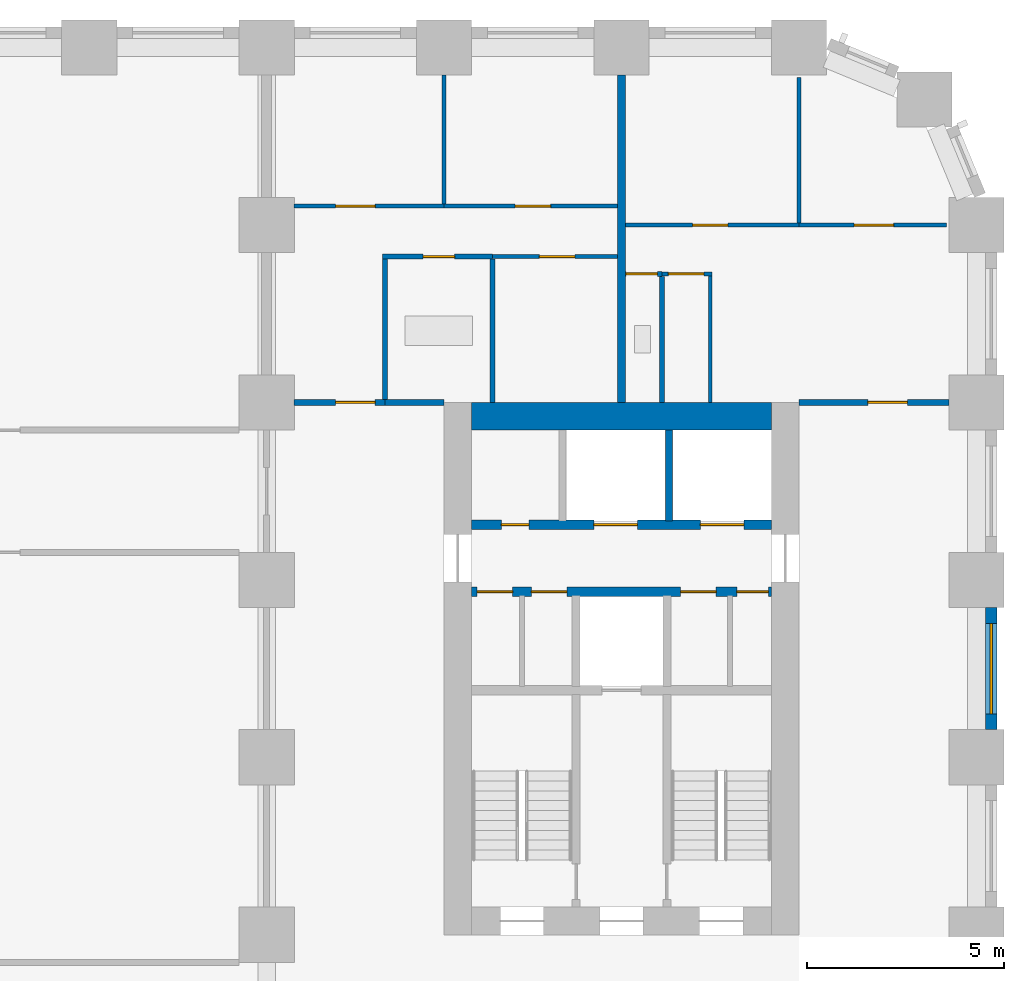
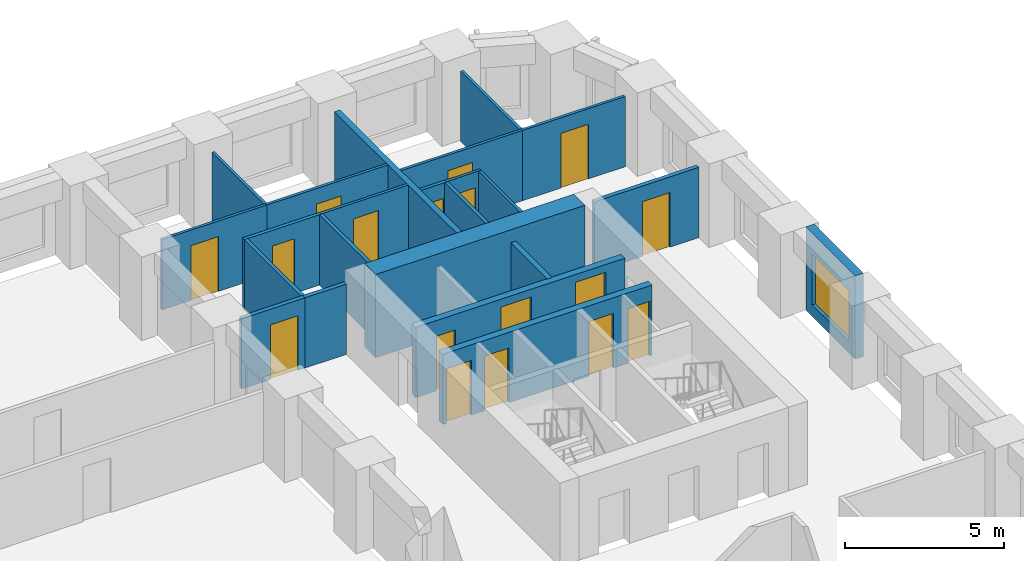
# One storey, part 8 of 12: 23 walls, 17 doors, 1 window, 18 openings.
"""IFC4 building model written with IfcOpenShell, lengths in metres."""

from ifc_helpers import new_model, si_unit, direction, frame, frame_2d, origin, place, context, subcontext, project, spatial, rectangle, extrude, material, layer, layer_set, type_object, element, fill, save


model = new_model("IFC4")

# Units and contexts
model_context = context("Model", 3, precision=1e-05, world=origin(), true_north=direction((0.0, 1.0)))
body_context = subcontext(model_context, "Body", "Model", "MODEL_VIEW")
ifc_project = project(units=[si_unit("LENGTHUNIT", "METRE"), si_unit("AREAUNIT", "SQUARE_METRE"), si_unit("VOLUMEUNIT", "CUBIC_METRE"), si_unit("PLANEANGLEUNIT", "RADIAN"), si_unit("MASSUNIT", "GRAM", prefix="KILO")], contexts=[model_context])

# Site, building, storey
site_placement = place(None, origin())
site = spatial("IfcSite", under=ifc_project, at=site_placement, CompositionType="ELEMENT")
building_placement = place(site_placement, origin())
building = spatial("IfcBuilding", under=site, at=building_placement, Name="Girih Gate Residences", CompositionType="ELEMENT")
storey_placement = place(building_placement, frame((0.0, 0.0, 72.0)))
storey = spatial("IfcBuildingStorey", under=building, at=storey_placement, Name="L19", CompositionType="ELEMENT", Elevation=72.0)

# Wall, opening, door
ifc_material_1 = material(Name="Gypsum board on steel studs", Category="steel")
ifc_layer_1 = layer(ifc_material_1, 0.14990234375)
ifc_layer_set_1 = layer_set([ifc_layer_1], Name="Compartment wall 150 mm")
wall_type_1 = type_object("IfcWallType", Name="Compartment wall 150 mm", PredefinedType="PARTITIONING", material=ifc_layer_set_1)
wall_1_placement = place(storey_placement, frame((45.0, 40.5, 0.0), z_axis=(0.0, 0.0, 1.0), x_axis=(1.0, 0.0, 0.0)))
wall_1 = element("IfcWall", 1, at=wall_1_placement, inside=storey, type_object=wall_type_1, Name="L19 partition", PredefinedType="PARTITIONING", context=body_context, shape_type="SweptSolid", body=[
    extrude(rectangle(XDim=3.800048828125, YDim=0.14990234375, at=frame_2d((1.89990234375, 0.0))), origin(), (0.0, 0.0, 1.0), 2.699951171875),
])
opening_1_placement = place(wall_1_placement, frame((1.75, 0.0, 0.0)))
opening_1 = element("IfcOpeningElement", 2, at=opening_1_placement, cuts=wall_1, Name="Opening A19-028", PredefinedType="OPENING", context=body_context, shape_type="SweptSolid", body=[
    extrude(rectangle(XDim=1.0, YDim=2.10009765625, at=frame_2d((0.5, 1.050048828125))), frame((0.0, 0.0849609375, 0.0), z_axis=(0.0, -1.0, 0.0), x_axis=(1.0, 0.0, 0.0)), (0.0, 0.0, 1.0), 0.169921875),
])
ifc_material_2 = material(Name="Timber, fire-rated core", Category="wood")
door_type_1 = type_object("IfcDoorType", Name="Flat entrance door 1000x2100 FD30S", OperationType="NOTDEFINED", PredefinedType="DOOR", material=ifc_material_2)
door_1_placement = place(opening_1_placement, origin())
door_1 = element("IfcDoor", 3, at=door_1_placement, inside=storey, type_object=door_type_1, Name="Door A19-028", OperationType="SINGLE_SWING_RIGHT", OverallHeight=2.10009765625, OverallWidth=1.0, PredefinedType="DOOR", context=body_context, shape_type="SweptSolid", body=[
    extrude(rectangle(XDim=1.0, YDim=2.10009765625, at=frame_2d((0.5, 1.050048828125))), frame((0.0, 0.02490234375, 0.0), z_axis=(0.0, -1.0, 0.0), x_axis=(1.0, 0.0, 0.0)), (0.0, 0.0, 1.0), 0.050048828125),
])
fill(opening_1, door_1)

# Wall
wall_2_placement = place(storey_placement, frame((34.5, 40.5, 0.0), z_axis=(0.0, 0.0, 1.0), x_axis=(1.0, 0.0, 0.0)))
element("IfcWall", 4, at=wall_2_placement, inside=storey, type_object=wall_type_1, Name="L19 partition", PredefinedType="PARTITIONING", context=body_context, shape_type="SweptSolid", body=[
    extrude(rectangle(XDim=1.5, YDim=0.14990234375, at=frame_2d((0.75, 0.0))), origin(), (0.0, 0.0, 1.0), 2.699951171875),
])

# Wall, opening, door
wall_3_placement = place(storey_placement, frame((32.199951171875, 40.5, 0.0), z_axis=(0.0, 0.0, 1.0), x_axis=(1.0, 0.0, 0.0)))
wall_3 = element("IfcWall", 5, at=wall_3_placement, inside=storey, type_object=wall_type_1, Name="L19 partition", PredefinedType="PARTITIONING", context=body_context, shape_type="SweptSolid", body=[
    extrude(rectangle(XDim=2.300048828125, YDim=0.14990234375, at=frame_2d((1.14990234375, 0.0))), origin(), (0.0, 0.0, 1.0), 2.699951171875),
])
opening_2_placement = place(wall_3_placement, frame((1.050048828125, 0.0, 0.0)))
opening_2 = element("IfcOpeningElement", 6, at=opening_2_placement, cuts=wall_3, Name="Opening A19-033", PredefinedType="OPENING", context=body_context, shape_type="SweptSolid", body=[
    extrude(rectangle(XDim=1.0, YDim=2.10009765625, at=frame_2d((0.5, 1.050048828125))), frame((0.0, 0.0849609375, 0.0), z_axis=(0.0, -1.0, 0.0), x_axis=(1.0, 0.0, 0.0)), (0.0, 0.0, 1.0), 0.169921875),
])
door_2_placement = place(opening_2_placement, origin())
door_2 = element("IfcDoor", 7, at=door_2_placement, inside=storey, type_object=door_type_1, Name="Door A19-033", OperationType="SINGLE_SWING_RIGHT", OverallHeight=2.10009765625, OverallWidth=1.0, PredefinedType="DOOR", context=body_context, shape_type="SweptSolid", body=[
    extrude(rectangle(XDim=1.0, YDim=2.10009765625, at=frame_2d((0.5, 1.050048828125))), frame((0.0, 0.02490234375, 0.0), z_axis=(0.0, -1.0, 0.0), x_axis=(1.0, 0.0, 0.0)), (0.0, 0.0, 1.0), 0.050048828125),
])
fill(opening_2, door_2)

# Wall
ifc_material_3 = material(Name="Concrete C60/75", Category="concrete")
ifc_layer_2 = layer(ifc_material_3, 0.699951171875)
ifc_layer_set_2 = layer_set([ifc_layer_2], Name="Core wall RC 700 Concrete C60/75")
wall_type_2 = type_object("IfcWallType", Name="Core wall RC 700 Concrete C60/75", PredefinedType="SOLIDWALL", material=ifc_layer_set_2)
wall_4_placement = place(storey_placement, frame((36.699951171875, 40.14990234375, 0.0), z_axis=(0.0, 0.0, 1.0), x_axis=(1.0, 0.0, 0.0)))
element("IfcWall", 8, at=wall_4_placement, inside=storey, type_object=wall_type_2, Name="Core wall E-N L19", PredefinedType="SOLIDWALL", context=body_context, shape_type="SweptSolid", body=[
    extrude(rectangle(XDim=7.60009765625, YDim=0.699951171875, at=frame_2d((3.800048828125, 0.0))), origin(), (0.0, 0.0, 1.0), 3.199951171875),
])

# Wall, openings, doors
ifc_material_4 = material(Name="Concrete C40/50", Category="concrete")
ifc_layer_3 = layer(ifc_material_4, 0.25)
ifc_layer_set_3 = layer_set([ifc_layer_3], Name="Lift shaft wall 250")
wall_type_3 = type_object("IfcWallType", Name="Lift shaft wall 250", PredefinedType="SOLIDWALL", material=ifc_layer_set_3)
wall_5_placement = place(storey_placement, frame((36.699951171875, 35.699951171875, 0.0), z_axis=(0.0, 0.0, 1.0), x_axis=(1.0, 0.0, 0.0)))
wall_5 = element("IfcWall", 9, at=wall_5_placement, inside=storey, type_object=wall_type_3, Name="L19 E core wall H2", PredefinedType="SOLIDWALL", context=body_context, shape_type="SweptSolid", body=[
    extrude(rectangle(XDim=7.60009765625, YDim=0.25, at=frame_2d((3.800048828125, 0.0))), origin(), (0.0, 0.0, 1.0), 2.699951171875),
])
opening_3_placement = place(wall_5_placement, frame((6.72509765625, 0.0, 0.0)))
opening_3 = element("IfcOpeningElement", 10, at=opening_3_placement, cuts=wall_5, Name="Opening D-L19-E-007", PredefinedType="OPENING", context=body_context, shape_type="SweptSolid", body=[
    extrude(rectangle(XDim=0.800048828125, YDim=2.10009765625, at=frame_2d((0.39990234375, 1.050048828125))), frame((0.0, 0.135009765625, 0.0), z_axis=(0.0, -1.0, 0.0), x_axis=(1.0, 0.0, 0.0)), (0.0, 0.0, 1.0), 0.27001953125),
])
opening_4_placement = place(wall_5_placement, frame((5.300048828125, 0.0, 0.0)))
opening_4 = element("IfcOpeningElement", 11, at=opening_4_placement, cuts=wall_5, Name="Opening D-L19-E-008", PredefinedType="OPENING", context=body_context, shape_type="SweptSolid", body=[
    extrude(rectangle(XDim=0.89990234375, YDim=2.10009765625, at=frame_2d((0.449951171875, 1.050048828125))), frame((0.0, 0.135009765625, 0.0), z_axis=(0.0, -1.0, 0.0), x_axis=(1.0, 0.0, 0.0)), (0.0, 0.0, 1.0), 0.27001953125),
])
opening_5_placement = place(wall_5_placement, frame((1.512451171875, 0.0, 0.0)))
opening_5 = element("IfcOpeningElement", 12, at=opening_5_placement, cuts=wall_5, Name="Opening D-L19-E-009", PredefinedType="OPENING", context=body_context, shape_type="SweptSolid", body=[
    extrude(rectangle(XDim=0.89990234375, YDim=2.10009765625, at=frame_2d((0.449951171875, 1.050048828125))), frame((0.0, 0.135009765625, 0.0), z_axis=(0.0, -1.0, 0.0), x_axis=(1.0, 0.0, 0.0)), (0.0, 0.0, 1.0), 0.27001953125),
])
opening_6_placement = place(wall_5_placement, frame((0.137451171875, 0.0, 0.0)))
opening_6 = element("IfcOpeningElement", 13, at=opening_6_placement, cuts=wall_5, Name="Opening D-L19-E-010", PredefinedType="OPENING", context=body_context, shape_type="SweptSolid", body=[
    extrude(rectangle(XDim=0.89990234375, YDim=2.10009765625, at=frame_2d((0.449951171875, 1.050048828125))), frame((0.0, 0.135009765625, 0.0), z_axis=(0.0, -1.0, 0.0), x_axis=(1.0, 0.0, 0.0)), (0.0, 0.0, 1.0), 0.27001953125),
])
ifc_material_5 = material(Name="Painted steel, fire-resisting", Category="steel")
door_type_2 = type_object("IfcDoorType", Name="Fire door 800x2100", OperationType="SINGLE_SWING_LEFT", PredefinedType="DOOR", material=ifc_material_5)
door_3_placement = place(opening_3_placement, origin())
door_3 = element("IfcDoor", 14, at=door_3_placement, inside=storey, type_object=door_type_2, Name="L19 E linen store door", OperationType="SINGLE_SWING_LEFT", OverallHeight=2.10009765625, OverallWidth=0.800048828125, PredefinedType="DOOR", context=body_context, shape_type="SweptSolid", body=[
    extrude(rectangle(XDim=0.800048828125, YDim=2.10009765625, at=frame_2d((0.39990234375, 1.050048828125))), frame((0.0, 0.02490234375, 0.0), z_axis=(0.0, -1.0, 0.0), x_axis=(1.0, 0.0, 0.0)), (0.0, 0.0, 1.0), 0.050048828125),
])
fill(opening_3, door_3)
door_type_3 = type_object("IfcDoorType", Name="Fire door 900x2100", OperationType="SINGLE_SWING_LEFT", PredefinedType="DOOR", material=ifc_material_5)
door_4_placement = place(opening_4_placement, origin())
door_4 = element("IfcDoor", 15, at=door_4_placement, inside=storey, type_object=door_type_3, Name="L19 E store door", OperationType="SINGLE_SWING_LEFT", OverallHeight=2.10009765625, OverallWidth=0.89990234375, PredefinedType="DOOR", context=body_context, shape_type="SweptSolid", body=[
    extrude(rectangle(XDim=0.89990234375, YDim=2.10009765625, at=frame_2d((0.449951171875, 1.050048828125))), frame((0.0, 0.02490234375, 0.0), z_axis=(0.0, -1.0, 0.0), x_axis=(1.0, 0.0, 0.0)), (0.0, 0.0, 1.0), 0.050048828125),
])
fill(opening_4, door_4)
door_5_placement = place(opening_5_placement, origin())
door_5 = element("IfcDoor", 16, at=door_5_placement, inside=storey, type_object=door_type_3, Name="L19 E housekeeping store door", OperationType="SINGLE_SWING_LEFT", OverallHeight=2.10009765625, OverallWidth=0.89990234375, PredefinedType="DOOR", context=body_context, shape_type="SweptSolid", body=[
    extrude(rectangle(XDim=0.89990234375, YDim=2.10009765625, at=frame_2d((0.449951171875, 1.050048828125))), frame((0.0, 0.02490234375, 0.0), z_axis=(0.0, -1.0, 0.0), x_axis=(1.0, 0.0, 0.0)), (0.0, 0.0, 1.0), 0.050048828125),
])
fill(opening_5, door_5)
door_6_placement = place(opening_6_placement, origin())
door_6 = element("IfcDoor", 17, at=door_6_placement, inside=storey, type_object=door_type_3, Name="L19 E refuse store door", OperationType="SINGLE_SWING_LEFT", OverallHeight=2.10009765625, OverallWidth=0.89990234375, PredefinedType="DOOR", context=body_context, shape_type="SweptSolid", body=[
    extrude(rectangle(XDim=0.89990234375, YDim=2.10009765625, at=frame_2d((0.449951171875, 1.050048828125))), frame((0.0, 0.02490234375, 0.0), z_axis=(0.0, -1.0, 0.0), x_axis=(1.0, 0.0, 0.0)), (0.0, 0.0, 1.0), 0.050048828125),
])
fill(opening_6, door_6)

wall_6_placement = place(storey_placement, frame((36.699951171875, 37.39990234375, 0.0), z_axis=(0.0, 0.0, 1.0), x_axis=(1.0, 0.0, 0.0)))
wall_6 = element("IfcWall", 18, at=wall_6_placement, inside=storey, type_object=wall_type_3, Name="L19 E core wall H3", PredefinedType="SOLIDWALL", context=body_context, shape_type="SweptSolid", body=[
    extrude(rectangle(XDim=7.60009765625, YDim=0.25, at=frame_2d((3.800048828125, 0.0))), origin(), (0.0, 0.0, 1.0), 2.699951171875),
])
opening_7_placement = place(wall_6_placement, frame((5.800048828125, 0.0, 0.0)))
opening_7 = element("IfcOpeningElement", 19, at=opening_7_placement, cuts=wall_6, Name="Opening D-L19-E-003", PredefinedType="OPENING", context=body_context, shape_type="SweptSolid", body=[
    extrude(rectangle(XDim=1.10009765625, YDim=2.39990234375, at=frame_2d((0.550048828125, 1.199951171875))), frame((0.0, 0.135009765625, 0.0), z_axis=(0.0, -1.0, 0.0), x_axis=(1.0, 0.0, 0.0)), (0.0, 0.0, 1.0), 0.27001953125),
])
opening_8_placement = place(wall_6_placement, frame((3.10009765625, 0.0, 0.0)))
opening_8 = element("IfcOpeningElement", 20, at=opening_8_placement, cuts=wall_6, Name="Opening D-L19-E-004", PredefinedType="OPENING", context=body_context, shape_type="SweptSolid", body=[
    extrude(rectangle(XDim=1.10009765625, YDim=2.39990234375, at=frame_2d((0.550048828125, 1.199951171875))), frame((0.0, 0.135009765625, 0.0), z_axis=(0.0, -1.0, 0.0), x_axis=(1.0, 0.0, 0.0)), (0.0, 0.0, 1.0), 0.27001953125),
])
opening_9_placement = place(wall_6_placement, frame((0.75, 0.0, 0.0)))
opening_9 = element("IfcOpeningElement", 21, at=opening_9_placement, cuts=wall_6, Name="Opening D-L19-E-006", PredefinedType="OPENING", context=body_context, shape_type="SweptSolid", body=[
    extrude(rectangle(XDim=0.699951171875, YDim=2.10009765625, at=frame_2d((0.35009765625, 1.050048828125))), frame((0.0, 0.135009765625, 0.0), z_axis=(0.0, -1.0, 0.0), x_axis=(1.0, 0.0, 0.0)), (0.0, 0.0, 1.0), 0.27001953125),
])
ifc_material_6 = material(Name="Stainless steel", Category="steel")
door_type_4 = type_object("IfcDoorType", Name="Lift landing door 1100x2400", OperationType="SLIDING_TO_LEFT", PredefinedType="DOOR", material=ifc_material_6)
door_7_placement = place(opening_7_placement, origin())
door_7 = element("IfcDoor", 22, at=door_7_placement, inside=storey, type_object=door_type_4, Name="L19 lift LR-E1 landing door", OperationType="SLIDING_TO_LEFT", OverallHeight=2.39990234375, OverallWidth=1.10009765625, PredefinedType="DOOR", context=body_context, shape_type="SweptSolid", body=[
    extrude(rectangle(XDim=1.10009765625, YDim=2.39990234375, at=frame_2d((0.550048828125, 1.199951171875))), frame((0.0, 0.02490234375, 0.0), z_axis=(0.0, -1.0, 0.0), x_axis=(1.0, 0.0, 0.0)), (0.0, 0.0, 1.0), 0.050048828125),
])
fill(opening_7, door_7)
door_8_placement = place(opening_8_placement, origin())
door_8 = element("IfcDoor", 23, at=door_8_placement, inside=storey, type_object=door_type_4, Name="L19 lift LR-E2 landing door", OperationType="SLIDING_TO_LEFT", OverallHeight=2.39990234375, OverallWidth=1.10009765625, PredefinedType="DOOR", context=body_context, shape_type="SweptSolid", body=[
    extrude(rectangle(XDim=1.10009765625, YDim=2.39990234375, at=frame_2d((0.550048828125, 1.199951171875))), frame((0.0, 0.02490234375, 0.0), z_axis=(0.0, -1.0, 0.0), x_axis=(1.0, 0.0, 0.0)), (0.0, 0.0, 1.0), 0.050048828125),
])
fill(opening_8, door_8)
door_type_5 = type_object("IfcDoorType", Name="Riser access door 700x2100", OperationType="SINGLE_SWING_LEFT", PredefinedType="DOOR", material=ifc_material_5)
door_9_placement = place(opening_9_placement, origin())
door_9 = element("IfcDoor", 24, at=door_9_placement, inside=storey, type_object=door_type_5, Name="L19 E riser room door", OperationType="SINGLE_SWING_LEFT", OverallHeight=2.10009765625, OverallWidth=0.699951171875, PredefinedType="DOOR", context=body_context, shape_type="SweptSolid", body=[
    extrude(rectangle(XDim=0.699951171875, YDim=2.10009765625, at=frame_2d((0.35009765625, 1.050048828125))), frame((0.0, 0.02490234375, 0.0), z_axis=(0.0, -1.0, 0.0), x_axis=(1.0, 0.0, 0.0)), (0.0, 0.0, 1.0), 0.050048828125),
])
fill(opening_9, door_9)

# Wall, opening, door
ifc_layer_4 = layer(ifc_material_1, 0.10009765625)
ifc_layer_set_4 = layer_set([ifc_layer_4], Name="Partition 100 mm")
wall_type_4 = type_object("IfcWallType", Name="Partition 100 mm", PredefinedType="PARTITIONING", material=ifc_layer_set_4)
wall_7_placement = place(storey_placement, frame((40.60009765625, 45.0, 0.0), z_axis=(0.0, 0.0, 1.0), x_axis=(1.0, 0.0, 0.0)))
wall_7 = element("IfcWall", 25, at=wall_7_placement, inside=storey, type_object=wall_type_4, Name="L19 partition", PredefinedType="PARTITIONING", context=body_context, shape_type="SweptSolid", body=[
    extrude(rectangle(XDim=4.39990234375, YDim=0.10009765625, at=frame_2d((2.199951171875, 0.0))), origin(), (0.0, 0.0, 1.0), 2.699951171875),
])
opening_10_placement = place(wall_7_placement, frame((1.699951171875, 0.0, 0.0)))
opening_10 = element("IfcOpeningElement", 26, at=opening_10_placement, cuts=wall_7, Name="Opening A19-025", PredefinedType="OPENING", context=body_context, shape_type="SweptSolid", body=[
    extrude(rectangle(XDim=0.89990234375, YDim=2.10009765625, at=frame_2d((0.449951171875, 1.050048828125))), frame((0.0, 0.06005859375, 0.0), z_axis=(0.0, -1.0, 0.0), x_axis=(1.0, 0.0, 0.0)), (0.0, 0.0, 1.0), 0.1201171875),
])
ifc_material_7 = material(Name="Timber", Category="wood")
door_type_6 = type_object("IfcDoorType", Name="Bedroom door 900x2100", OperationType="NOTDEFINED", PredefinedType="DOOR", material=ifc_material_7)
door_10_placement = place(opening_10_placement, origin())
door_10 = element("IfcDoor", 27, at=door_10_placement, inside=storey, type_object=door_type_6, Name="Door A19-025", OperationType="SINGLE_SWING_LEFT", OverallHeight=2.10009765625, OverallWidth=0.89990234375, PredefinedType="DOOR", context=body_context, shape_type="SweptSolid", body=[
    extrude(rectangle(XDim=0.89990234375, YDim=2.10009765625, at=frame_2d((0.449951171875, 1.050048828125))), frame((0.0, 0.02490234375, 0.0), z_axis=(0.0, -1.0, 0.0), x_axis=(1.0, 0.0, 0.0)), (0.0, 0.0, 1.0), 0.050048828125),
])
fill(opening_10, door_10)

# Walls
wall_8_placement = place(storey_placement, frame((45.0, 45.050048828125, 0.0), z_axis=(0.0, 0.0, 1.0), x_axis=(0.0, 1.0, 0.0)))
element("IfcWall", 28, at=wall_8_placement, inside=storey, type_object=wall_type_4, Name="L19 partition", PredefinedType="PARTITIONING", context=body_context, shape_type="SweptSolid", body=[
    extrude(rectangle(XDim=3.6923828125, YDim=0.10009765625, at=frame_2d((1.84619140625, 0.0))), origin(), (0.0, 0.0, 1.0), 2.699951171875),
])
wall_9_placement = place(storey_placement, frame((42.75, 40.5, 0.0), z_axis=(0.0, 0.0, 1.0), x_axis=(0.0, 1.0, 0.0)))
element("IfcWall", 29, at=wall_9_placement, inside=storey, type_object=wall_type_4, Name="L19 partition", PredefinedType="PARTITIONING", context=body_context, shape_type="SweptSolid", body=[
    extrude(rectangle(XDim=3.2099609375, YDim=0.10009765625, at=frame_2d((1.60498046875, 0.0))), origin(), (0.0, 0.0, 1.0), 2.699951171875),
])

# Wall, opening, door
wall_10_placement = place(storey_placement, frame((42.800048828125, 43.760009765625, 0.0), z_axis=(0.0, 0.0, 1.0), x_axis=(-1.0, 0.0, 0.0)))
wall_10 = element("IfcWall", 30, at=wall_10_placement, inside=storey, type_object=wall_type_4, Name="L19 partition", PredefinedType="PARTITIONING", context=body_context, shape_type="SweptSolid", body=[
    extrude(rectangle(XDim=1.27734375, YDim=0.10009765625, at=frame_2d((0.638671875, 0.0))), origin(), (0.0, 0.0, 1.0), 2.699951171875),
])
opening_11_placement = place(wall_10_placement, frame((0.213623046875, 0.0, 0.0)))
opening_11 = element("IfcOpeningElement", 31, at=opening_11_placement, cuts=wall_10, Name="Opening A19-026", PredefinedType="OPENING", context=body_context, shape_type="SweptSolid", body=[
    extrude(rectangle(XDim=0.89990234375, YDim=2.10009765625, at=frame_2d((0.449951171875, 1.050048828125))), frame((0.0, 0.06005859375, 0.0), z_axis=(0.0, -1.0, 0.0), x_axis=(1.0, 0.0, 0.0)), (0.0, 0.0, 1.0), 0.1201171875),
])
door_type_7 = type_object("IfcDoorType", Name="Kitchen door 900x2100", OperationType="NOTDEFINED", PredefinedType="DOOR", material=ifc_material_7)
door_11_placement = place(opening_11_placement, origin())
door_11 = element("IfcDoor", 32, at=door_11_placement, inside=storey, type_object=door_type_7, Name="Door A19-026", OperationType="SINGLE_SWING_RIGHT", OverallHeight=2.10009765625, OverallWidth=0.89990234375, PredefinedType="DOOR", context=body_context, shape_type="SweptSolid", body=[
    extrude(rectangle(XDim=0.89990234375, YDim=2.10009765625, at=frame_2d((0.449951171875, 1.050048828125))), frame((0.0, 0.02490234375, 0.0), z_axis=(0.0, -1.0, 0.0), x_axis=(1.0, 0.0, 0.0)), (0.0, 0.0, 1.0), 0.050048828125),
])
fill(opening_11, door_11)

wall_11_placement = place(storey_placement, frame((45.0, 45.0, 0.0), z_axis=(0.0, 0.0, 1.0), x_axis=(1.0, 0.0, 0.0)))
wall_11 = element("IfcWall", 33, at=wall_11_placement, inside=storey, type_object=wall_type_4, Name="L19 partition", PredefinedType="PARTITIONING", context=body_context, shape_type="SweptSolid", body=[
    extrude(rectangle(XDim=3.742431640625, YDim=0.10009765625, at=frame_2d((1.87109375, 0.0))), origin(), (0.0, 0.0, 1.0), 2.699951171875),
])
opening_12_placement = place(wall_11_placement, frame((1.39990234375, 0.0, 0.0)))
opening_12 = element("IfcOpeningElement", 34, at=opening_12_placement, cuts=wall_11, Name="Opening A19-027", PredefinedType="OPENING", context=body_context, shape_type="SweptSolid", body=[
    extrude(rectangle(XDim=1.0, YDim=2.10009765625, at=frame_2d((0.5, 1.050048828125))), frame((0.0, 0.06005859375, 0.0), z_axis=(0.0, -1.0, 0.0), x_axis=(1.0, 0.0, 0.0)), (0.0, 0.0, 1.0), 0.1201171875),
])
door_type_8 = type_object("IfcDoorType", Name="Living room door 1000x2100", OperationType="NOTDEFINED", PredefinedType="DOOR", material=ifc_material_7)
door_12_placement = place(opening_12_placement, origin())
door_12 = element("IfcDoor", 35, at=door_12_placement, inside=storey, type_object=door_type_8, Name="Door A19-027", OperationType="SINGLE_SWING_RIGHT", OverallHeight=2.10009765625, OverallWidth=1.0, PredefinedType="DOOR", context=body_context, shape_type="SweptSolid", body=[
    extrude(rectangle(XDim=1.0, YDim=2.10009765625, at=frame_2d((0.5, 1.050048828125))), frame((0.0, 0.02490234375, 0.0), z_axis=(0.0, -1.0, 0.0), x_axis=(1.0, 0.0, 0.0)), (0.0, 0.0, 1.0), 0.050048828125),
])
fill(opening_12, door_12)

wall_12_placement = place(storey_placement, frame((36.0, 45.47998046875, 0.0), z_axis=(0.0, 0.0, 1.0), x_axis=(1.0, 0.0, 0.0)))
wall_12 = element("IfcWall", 36, at=wall_12_placement, inside=storey, type_object=wall_type_4, Name="L19 partition", PredefinedType="PARTITIONING", context=body_context, shape_type="SweptSolid", body=[
    extrude(rectangle(XDim=4.39990234375, YDim=0.10009765625, at=frame_2d((2.199951171875, 0.0))), origin(), (0.0, 0.0, 1.0), 2.699951171875),
])
opening_13_placement = place(wall_12_placement, frame((1.800048828125, 0.0, 0.0)))
opening_13 = element("IfcOpeningElement", 37, at=opening_13_placement, cuts=wall_12, Name="Opening A19-030", PredefinedType="OPENING", context=body_context, shape_type="SweptSolid", body=[
    extrude(rectangle(XDim=0.89990234375, YDim=2.10009765625, at=frame_2d((0.449951171875, 1.050048828125))), frame((0.0, 0.06005859375, 0.0), z_axis=(0.0, -1.0, 0.0), x_axis=(1.0, 0.0, 0.0)), (0.0, 0.0, 1.0), 0.1201171875),
])
door_13_placement = place(opening_13_placement, origin())
door_13 = element("IfcDoor", 38, at=door_13_placement, inside=storey, type_object=door_type_6, Name="Door A19-030", OperationType="SINGLE_SWING_RIGHT", OverallHeight=2.10009765625, OverallWidth=0.89990234375, PredefinedType="DOOR", context=body_context, shape_type="SweptSolid", body=[
    extrude(rectangle(XDim=0.89990234375, YDim=2.10009765625, at=frame_2d((0.449951171875, 1.050048828125))), frame((0.0, 0.02490234375, 0.0), z_axis=(0.0, -1.0, 0.0), x_axis=(1.0, 0.0, 0.0)), (0.0, 0.0, 1.0), 0.050048828125),
])
fill(opening_13, door_13)

# Wall
wall_13_placement = place(storey_placement, frame((36.0, 45.530029296875, 0.0), z_axis=(0.0, 0.0, 1.0), x_axis=(0.0, 1.0, 0.0)))
element("IfcWall", 39, at=wall_13_placement, inside=storey, type_object=wall_type_4, Name="L19 partition", PredefinedType="PARTITIONING", context=body_context, shape_type="SweptSolid", body=[
    extrude(rectangle(XDim=3.27001953125, YDim=0.10009765625, at=frame_2d((1.635009765625, 0.0))), origin(), (0.0, 0.0, 1.0), 2.699951171875),
])

# Wall, opening, door
wall_14_placement = place(storey_placement, frame((40.39990234375, 44.199951171875, 0.0), z_axis=(0.0, 0.0, 1.0), x_axis=(-1.0, 0.0, 0.0)))
wall_14 = element("IfcWall", 40, at=wall_14_placement, inside=storey, type_object=wall_type_4, Name="L19 partition", PredefinedType="PARTITIONING", context=body_context, shape_type="SweptSolid", body=[
    extrude(rectangle(XDim=3.16845703125, YDim=0.10009765625, at=frame_2d((1.584228515625, 0.0))), origin(), (0.0, 0.0, 1.0), 2.699951171875),
])
opening_14_placement = place(wall_14_placement, frame((1.084228515625, 0.0, 0.0)))
opening_14 = element("IfcOpeningElement", 41, at=opening_14_placement, cuts=wall_14, Name="Opening A19-031", PredefinedType="OPENING", context=body_context, shape_type="SweptSolid", body=[
    extrude(rectangle(XDim=0.89990234375, YDim=2.10009765625, at=frame_2d((0.449951171875, 1.050048828125))), frame((0.0, 0.06005859375, 0.0), z_axis=(0.0, -1.0, 0.0), x_axis=(1.0, 0.0, 0.0)), (0.0, 0.0, 1.0), 0.1201171875),
])
door_14_placement = place(opening_14_placement, origin())
door_14 = element("IfcDoor", 42, at=door_14_placement, inside=storey, type_object=door_type_7, Name="Door A19-031", OperationType="SINGLE_SWING_LEFT", OverallHeight=2.10009765625, OverallWidth=0.89990234375, PredefinedType="DOOR", context=body_context, shape_type="SweptSolid", body=[
    extrude(rectangle(XDim=0.89990234375, YDim=2.10009765625, at=frame_2d((0.449951171875, 1.050048828125))), frame((0.0, 0.02490234375, 0.0), z_axis=(0.0, -1.0, 0.0), x_axis=(1.0, 0.0, 0.0)), (0.0, 0.0, 1.0), 0.050048828125),
])
fill(opening_14, door_14)

wall_15_placement = place(storey_placement, frame((32.199951171875, 45.47998046875, 0.0), z_axis=(0.0, 0.0, 1.0), x_axis=(1.0, 0.0, 0.0)))
wall_15 = element("IfcWall", 43, at=wall_15_placement, inside=storey, type_object=wall_type_4, Name="L19 partition", PredefinedType="PARTITIONING", context=body_context, shape_type="SweptSolid", body=[
    extrude(rectangle(XDim=3.800048828125, YDim=0.10009765625, at=frame_2d((1.89990234375, 0.0))), origin(), (0.0, 0.0, 1.0), 2.699951171875),
])
opening_15_placement = place(wall_15_placement, frame((1.050048828125, 0.0, 0.0)))
opening_15 = element("IfcOpeningElement", 44, at=opening_15_placement, cuts=wall_15, Name="Opening A19-032", PredefinedType="OPENING", context=body_context, shape_type="SweptSolid", body=[
    extrude(rectangle(XDim=1.0, YDim=2.10009765625, at=frame_2d((0.5, 1.050048828125))), frame((0.0, 0.06005859375, 0.0), z_axis=(0.0, -1.0, 0.0), x_axis=(1.0, 0.0, 0.0)), (0.0, 0.0, 1.0), 0.1201171875),
])
door_15_placement = place(opening_15_placement, origin())
door_15 = element("IfcDoor", 45, at=door_15_placement, inside=storey, type_object=door_type_8, Name="Door A19-032", OperationType="SINGLE_SWING_LEFT", OverallHeight=2.10009765625, OverallWidth=1.0, PredefinedType="DOOR", context=body_context, shape_type="SweptSolid", body=[
    extrude(rectangle(XDim=1.0, YDim=2.10009765625, at=frame_2d((0.5, 1.050048828125))), frame((0.0, 0.02490234375, 0.0), z_axis=(0.0, -1.0, 0.0), x_axis=(1.0, 0.0, 0.0)), (0.0, 0.0, 1.0), 0.050048828125),
])
fill(opening_15, door_15)

# Wall
ifc_layer_5 = layer(ifc_material_1, 0.199951171875)
ifc_layer_set_5 = layer_set([ifc_layer_5], Name="Party wall 200 mm")
wall_type_5 = type_object("IfcWallType", Name="Party wall 200 mm", PredefinedType="PARTITIONING", material=ifc_layer_set_5)
wall_16_placement = place(storey_placement, frame((40.5, 40.5, 0.0), z_axis=(0.0, 0.0, 1.0), x_axis=(0.0, 1.0, 0.0)))
element("IfcWall", 46, at=wall_16_placement, inside=storey, type_object=wall_type_5, Name="L19 partition", PredefinedType="PARTITIONING", context=body_context, shape_type="SweptSolid", body=[
    extrude(rectangle(XDim=8.300048828125, YDim=0.199951171875, at=frame_2d((4.14990234375, 0.0))), origin(), (0.0, 0.0, 1.0), 2.699951171875),
])

# Wall, opening, window
ifc_material_8 = material(Name="Precast concrete C50/60", Category="concrete")
ifc_layer_6 = layer(ifc_material_8, 0.080078125, Name="Outer leaf")
ifc_material_9 = material(Name="Rigid PIR insulation")
ifc_layer_7 = layer(ifc_material_9, 0.14990234375, Name="Insulation")
ifc_material_10 = material(Name="Precast concrete C40/50", Category="concrete")
ifc_layer_8 = layer(ifc_material_10, 0.070068359375, Name="Inner leaf")
ifc_layer_set_6 = layer_set([ifc_layer_6, ifc_layer_7, ifc_layer_8], Name="Precast concrete C50/60 external wall 300")
wall_type_6 = type_object("IfcWallType", Name="Precast concrete C50/60 external wall 300", PredefinedType="SOLIDWALL", material=ifc_layer_set_6)
wall_17_placement = place(storey_placement, frame((49.875, 35.300048828125, 0.0), z_axis=(0.0, 0.0, 1.0), x_axis=(0.0, -1.0, 0.0)))
wall_17 = element("IfcWall", 47, at=wall_17_placement, inside=storey, type_object=wall_type_6, Name="External wall E0495_0045.6", PredefinedType="SOLIDWALL", context=body_context, shape_type="SweptSolid", body=[
    extrude(rectangle(XDim=3.10009765625, YDim=0.300048828125, at=frame_2d((1.550048828125, 0.0))), origin(), (0.0, 0.0, 1.0), 3.199951171875),
])
opening_16_placement = place(wall_17_placement, frame((0.39990234375, 0.0, 0.449951171875)))
opening_16 = element("IfcOpeningElement", 48, at=opening_16_placement, cuts=wall_17, Name="Opening W-1", PredefinedType="OPENING", context=body_context, shape_type="SweptSolid", body=[
    extrude(rectangle(XDim=2.300048828125, YDim=1.949951171875, at=frame_2d((1.14990234375, 0.97509765625))), frame((0.0, 0.159912109375, 0.0), z_axis=(0.0, -1.0, 0.0), x_axis=(1.0, 0.0, 0.0)), (0.0, 0.0, 1.0), 0.320068359375),
])
ifc_material_11 = material(Name="Double glazing in aluminium frame", Category="aluminium")
window_type = type_object("IfcWindowType", Name="Window W-1 2300x1950", PartitioningType="SINGLE_PANEL", PredefinedType="WINDOW", material=ifc_material_11)
window_placement = place(opening_16_placement, origin())
window = element("IfcWindow", 49, at=window_placement, inside=storey, type_object=window_type, Name="Window W-1 E0495_0045.6", OverallHeight=1.949951171875, OverallWidth=2.300048828125, PartitioningType="SINGLE_PANEL", PredefinedType="WINDOW", context=body_context, shape_type="SweptSolid", body=[
    extrude(rectangle(XDim=2.300048828125, YDim=1.949951171875, at=frame_2d((1.14990234375, 0.97509765625))), frame((0.0, 0.030029296875, 0.0), z_axis=(0.0, -1.0, 0.0), x_axis=(1.0, 0.0, 0.0)), (0.0, 0.0, 1.0), 0.06005859375),
])
fill(opening_16, window)

# Wall
ifc_layer_9 = layer(ifc_material_4, 0.175048828125)
ifc_layer_set_7 = layer_set([ifc_layer_9], Name="Riser shaft wall 175")
wall_type_7 = type_object("IfcWallType", Name="Riser shaft wall 175", PredefinedType="SOLIDWALL", material=ifc_layer_set_7)
wall_18_placement = place(storey_placement, frame((41.699951171875, 37.5, 0.0), z_axis=(0.0, 0.0, 1.0), x_axis=(0.0, 1.0, 0.0)))
element("IfcWall", 50, at=wall_18_placement, inside=storey, type_object=wall_type_7, Name="L19 E core wall V1c", PredefinedType="SOLIDWALL", context=body_context, shape_type="SweptSolid", body=[
    extrude(rectangle(XDim=2.300048828125, YDim=0.175048828125, at=frame_2d((1.14990234375, 0.0))), origin(), (0.0, 0.0, 1.0), 2.699951171875),
])

# Wall, opening, door
ifc_layer_10 = layer(ifc_material_1, 0.125)
ifc_layer_set_8 = layer_set([ifc_layer_10], Name="Wet room wall 125 mm")
wall_type_8 = type_object("IfcWallType", Name="Wet room wall 125 mm", PredefinedType="PARTITIONING", material=ifc_layer_set_8)
wall_19_placement = place(storey_placement, frame((41.522705078125, 43.760009765625, 0.0), z_axis=(0.0, 0.0, 1.0), x_axis=(-1.0, 0.0, 0.0)))
wall_19 = element("IfcWall", 51, at=wall_19_placement, inside=storey, type_object=wall_type_8, Name="L19 partition", PredefinedType="PARTITIONING", context=body_context, shape_type="SweptSolid", body=[
    extrude(rectangle(XDim=0.922607421875, YDim=0.125, at=frame_2d((0.46142578125, 0.0))), origin(), (0.0, 0.0, 1.0), 2.699951171875),
])
opening_17_placement = place(wall_19_placement, frame((0.111328125, 0.0, 0.0)))
opening_17 = element("IfcOpeningElement", 52, at=opening_17_placement, cuts=wall_19, Name="Opening A19-024", PredefinedType="OPENING", context=body_context, shape_type="SweptSolid", body=[
    extrude(rectangle(XDim=0.800048828125, YDim=2.10009765625, at=frame_2d((0.39990234375, 1.050048828125))), frame((0.0, 0.072509765625, 0.0), z_axis=(0.0, -1.0, 0.0), x_axis=(1.0, 0.0, 0.0)), (0.0, 0.0, 1.0), 0.14501953125),
])
door_type_9 = type_object("IfcDoorType", Name="Bathroom door 800x2100", OperationType="NOTDEFINED", PredefinedType="DOOR", material=ifc_material_7)
door_16_placement = place(opening_17_placement, origin())
door_16 = element("IfcDoor", 53, at=door_16_placement, inside=storey, type_object=door_type_9, Name="Door A19-024", OperationType="SINGLE_SWING_RIGHT", OverallHeight=2.10009765625, OverallWidth=0.800048828125, PredefinedType="DOOR", context=body_context, shape_type="SweptSolid", body=[
    extrude(rectangle(XDim=0.800048828125, YDim=2.10009765625, at=frame_2d((0.39990234375, 1.050048828125))), frame((0.0, 0.02490234375, 0.0), z_axis=(0.0, -1.0, 0.0), x_axis=(1.0, 0.0, 0.0)), (0.0, 0.0, 1.0), 0.050048828125),
])
fill(opening_17, door_16)

# Walls
wall_20_placement = place(storey_placement, frame((41.52294921875, 40.5, 0.0), z_axis=(0.0, 0.0, 1.0), x_axis=(0.0, 1.0, 0.0)))
element("IfcWall", 54, at=wall_20_placement, inside=storey, type_object=wall_type_8, Name="L19 partition", PredefinedType="PARTITIONING", context=body_context, shape_type="SweptSolid", body=[
    extrude(rectangle(XDim=3.197509765625, YDim=0.125, at=frame_2d((1.5986328125, 0.0))), origin(), (0.0, 0.0, 1.0), 2.699951171875),
])
wall_21_placement = place(storey_placement, frame((34.5, 40.574951171875, 0.0), z_axis=(0.0, 0.0, 1.0), x_axis=(0.0, 1.0, 0.0)))
element("IfcWall", 55, at=wall_21_placement, inside=storey, type_object=wall_type_8, Name="L19 partition", PredefinedType="PARTITIONING", context=body_context, shape_type="SweptSolid", body=[
    extrude(rectangle(XDim=3.5625, YDim=0.125, at=frame_2d((1.78125, 0.0))), origin(), (0.0, 0.0, 1.0), 2.699951171875),
])

# Wall, opening, door
wall_22_placement = place(storey_placement, frame((37.2314453125, 44.199951171875, 0.0), z_axis=(0.0, 0.0, 1.0), x_axis=(-1.0, 0.0, 0.0)))
wall_22 = element("IfcWall", 56, at=wall_22_placement, inside=storey, type_object=wall_type_8, Name="L19 partition", PredefinedType="PARTITIONING", context=body_context, shape_type="SweptSolid", body=[
    extrude(rectangle(XDim=2.7939453125, YDim=0.125, at=frame_2d((1.39697265625, 0.0))), origin(), (0.0, 0.0, 1.0), 2.699951171875),
])
opening_18_placement = place(wall_22_placement, frame((0.9658203125, 0.0, 0.0)))
opening_18 = element("IfcOpeningElement", 57, at=opening_18_placement, cuts=wall_22, Name="Opening A19-029", PredefinedType="OPENING", context=body_context, shape_type="SweptSolid", body=[
    extrude(rectangle(XDim=0.800048828125, YDim=2.10009765625, at=frame_2d((0.39990234375, 1.050048828125))), frame((0.0, 0.072509765625, 0.0), z_axis=(0.0, -1.0, 0.0), x_axis=(1.0, 0.0, 0.0)), (0.0, 0.0, 1.0), 0.14501953125),
])
door_17_placement = place(opening_18_placement, origin())
door_17 = element("IfcDoor", 58, at=door_17_placement, inside=storey, type_object=door_type_9, Name="Door A19-029", OperationType="SINGLE_SWING_LEFT", OverallHeight=2.10009765625, OverallWidth=0.800048828125, PredefinedType="DOOR", context=body_context, shape_type="SweptSolid", body=[
    extrude(rectangle(XDim=0.800048828125, YDim=2.10009765625, at=frame_2d((0.39990234375, 1.050048828125))), frame((0.0, 0.02490234375, 0.0), z_axis=(0.0, -1.0, 0.0), x_axis=(1.0, 0.0, 0.0)), (0.0, 0.0, 1.0), 0.050048828125),
])
fill(opening_18, door_17)

# Wall
wall_23_placement = place(storey_placement, frame((37.23095703125, 40.5, 0.0), z_axis=(0.0, 0.0, 1.0), x_axis=(0.0, 1.0, 0.0)))
element("IfcWall", 59, at=wall_23_placement, inside=storey, type_object=wall_type_8, Name="L19 partition", PredefinedType="PARTITIONING", context=body_context, shape_type="SweptSolid", body=[
    extrude(rectangle(XDim=3.637451171875, YDim=0.125, at=frame_2d((1.81884765625, 0.0))), origin(), (0.0, 0.0, 1.0), 2.699951171875),
])

save(model, "model.ifc")
